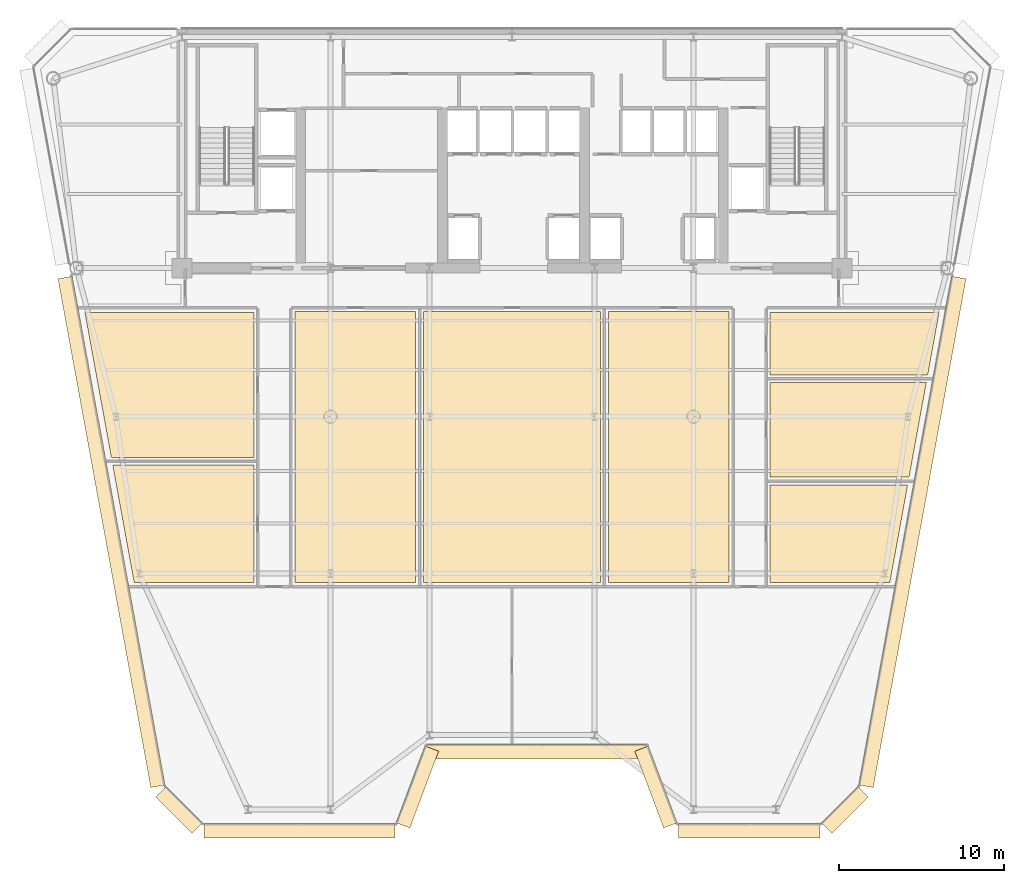
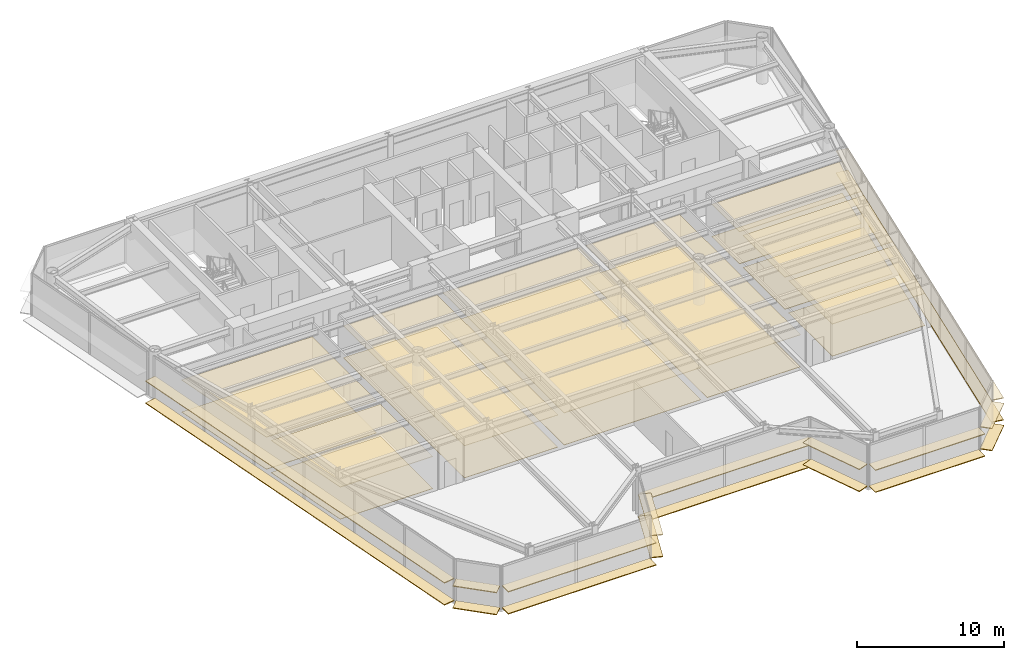
# One storey, part 14 of 17: 34 coverings.
"""IFC4 building model written with IfcOpenShell, lengths in metres."""

from ifc_helpers import new_model, si_unit, direction, frame, origin, origin_2d, place, context, subcontext, project, spatial, polyline, rectangle, outline, extrude, source, transform, mapped, material, layer, layer_set, type_object, element, save


model = new_model("IFC4")

# Units and contexts
model_context = context("Model", 3, precision=1e-05, world=origin(), true_north=direction((0.0, 1.0)))
body_context = subcontext(model_context, "Body", "Model", "MODEL_VIEW")
ifc_project = project(units=[si_unit("LENGTHUNIT", "METRE"), si_unit("AREAUNIT", "SQUARE_METRE"), si_unit("VOLUMEUNIT", "CUBIC_METRE"), si_unit("PLANEANGLEUNIT", "RADIAN"), si_unit("MASSUNIT", "GRAM", prefix="KILO")], contexts=[model_context])

# Site, building, storey
site_placement = place(None, origin())
site = spatial("IfcSite", under=ifc_project, at=site_placement, CompositionType="ELEMENT")
building_placement = place(site_placement, origin())
building = spatial("IfcBuilding", under=site, at=building_placement, Name="Vaeldorn Concourse Tower", CompositionType="ELEMENT")
storey_placement = place(building_placement, frame((0.0, 0.0, 169.0)))
storey = spatial("IfcBuildingStorey", under=building, at=storey_placement, Name="L43", CompositionType="ELEMENT", Elevation=169.0)

# Coverings
ifc_material_1 = material(Name="Acoustic Mineral Fibre Board", Category="gypsum")
ifc_layer_1 = layer(ifc_material_1, 0.0400390625)
ifc_layer_set_1 = layer_set([ifc_layer_1], Name="Acoustic Mineral Fibre Board")
covering_type_1 = type_object("IfcCoveringType", Name="COV-CEIL-ACOUSTIC", PredefinedType="CEILING", material=ifc_layer_set_1)
covering_1_placement = place(storey_placement, frame((0.0, 0.0, 2.64990234375)))
element("IfcCovering", 1, at=covering_1_placement, inside=storey, type_object=covering_type_1, Name="Suspended Acoustic Ceiling L43-5", PredefinedType="CEILING", context=body_context, shape_type="SweptSolid", body=[
    extrude(outline(polyline([(18.360107421875, 24.56005859375), (18.360107421875, 17.43994140625), (11.108642578125, 17.43994140625), (9.809814453125, 24.56005859375), (18.360107421875, 24.56005859375)])), origin(), (0.0, 0.0, 1.0), 0.0400390625),
])
covering_2_placement = place(storey_placement, frame((0.0, 0.0, 2.64990234375)))
element("IfcCovering", 2, at=covering_2_placement, inside=storey, type_object=covering_type_1, Name="Suspended Acoustic Ceiling L43-6", PredefinedType="CEILING", context=body_context, shape_type="SweptSolid", body=[
    extrude(outline(polyline([(18.360107421875, 33.800048828125), (18.360107421875, 25.0400390625), (9.722412109375, 25.0400390625), (8.12451171875, 33.800048828125), (18.360107421875, 33.800048828125)])), origin(), (0.0, 0.0, 1.0), 0.0400390625),
])
covering_3_placement = place(storey_placement, frame((0.0, 0.0, 2.64990234375)))
element("IfcCovering", 3, at=covering_3_placement, inside=storey, type_object=covering_type_1, Name="Suspended Acoustic Ceiling L43-7", PredefinedType="CEILING", context=body_context, shape_type="SweptSolid", body=[
    extrude(outline(polyline([(49.639892578125, 17.43994140625), (49.639892578125, 23.360107421875), (57.97119140625, 23.360107421875), (56.891357421875, 17.43994140625), (49.639892578125, 17.43994140625)])), origin(), (0.0, 0.0, 1.0), 0.0400390625),
])
covering_4_placement = place(storey_placement, frame((0.0, 0.0, 2.64990234375)))
element("IfcCovering", 4, at=covering_4_placement, inside=storey, type_object=covering_type_1, Name="Suspended Acoustic Ceiling L43-8", PredefinedType="CEILING", context=body_context, shape_type="SweptSolid", body=[
    extrude(outline(polyline([(49.639892578125, 23.840087890625), (49.639892578125, 29.56005859375), (59.10205078125, 29.56005859375), (58.058837890625, 23.840087890625), (49.639892578125, 23.840087890625)])), origin(), (0.0, 0.0, 1.0), 0.0400390625),
])
covering_5_placement = place(storey_placement, frame((0.0, 0.0, 2.64990234375)))
element("IfcCovering", 5, at=covering_5_placement, inside=storey, type_object=covering_type_1, Name="Suspended Acoustic Ceiling L43-9", PredefinedType="CEILING", context=body_context, shape_type="SweptSolid", body=[
    extrude(outline(polyline([(49.639892578125, 30.0400390625), (49.639892578125, 33.800048828125), (59.87548828125, 33.800048828125), (59.189697265625, 30.0400390625), (49.639892578125, 30.0400390625)])), origin(), (0.0, 0.0, 1.0), 0.0400390625),
])
covering_6_placement = place(storey_placement, frame((0.0, 0.0, 2.64990234375)))
element("IfcCovering", 6, at=covering_6_placement, inside=storey, type_object=covering_type_1, Name="Suspended Acoustic Ceiling L43-10", PredefinedType="CEILING", context=body_context, shape_type="SweptSolid", body=[
    extrude(outline(polyline([(20.840087890625, 33.860107421875), (28.159912109375, 33.860107421875), (28.159912109375, 17.43994140625), (20.840087890625, 17.43994140625), (20.840087890625, 33.860107421875)])), origin(), (0.0, 0.0, 1.0), 0.0400390625),
])
covering_7_placement = place(storey_placement, frame((0.0, 0.0, 2.64990234375)))
element("IfcCovering", 7, at=covering_7_placement, inside=storey, type_object=covering_type_1, Name="Suspended Acoustic Ceiling L43-11", PredefinedType="CEILING", context=body_context, shape_type="SweptSolid", body=[
    extrude(outline(polyline([(28.639892578125, 33.860107421875), (39.360107421875, 33.860107421875), (39.360107421875, 17.43994140625), (28.639892578125, 17.43994140625), (28.639892578125, 33.860107421875)])), origin(), (0.0, 0.0, 1.0), 0.0400390625),
])
covering_8_placement = place(storey_placement, frame((0.0, 0.0, 2.64990234375)))
element("IfcCovering", 8, at=covering_8_placement, inside=storey, type_object=covering_type_1, Name="Suspended Acoustic Ceiling L43-12", PredefinedType="CEILING", context=body_context, shape_type="SweptSolid", body=[
    extrude(outline(polyline([(39.840087890625, 33.860107421875), (47.159912109375, 33.860107421875), (47.159912109375, 17.43994140625), (39.840087890625, 17.43994140625), (39.840087890625, 33.860107421875)])), origin(), (0.0, 0.0, 1.0), 0.0400390625),
])
ifc_material_2 = material(Name="Honed Limestone Terrazzo Flooring", Category="masonry")
ifc_layer_2 = layer(ifc_material_2, 0.0400390625)
ifc_layer_set_2 = layer_set([ifc_layer_2], Name="Honed Limestone Terrazzo Flooring")
covering_type_2 = type_object("IfcCoveringType", Name="COV-FLOOR-STONE", PredefinedType="FLOORING", material=ifc_layer_set_2)
covering_9_placement = place(storey_placement, origin())
element("IfcCovering", 9, at=covering_9_placement, inside=storey, type_object=covering_type_2, Name="Floor Finish Covering L43-5", PredefinedType="FLOORING", context=body_context, shape_type="SweptSolid", body=[
    extrude(outline(polyline([(18.360107421875, 24.56005859375), (18.360107421875, 17.43994140625), (11.108642578125, 17.43994140625), (9.809814453125, 24.56005859375), (18.360107421875, 24.56005859375)])), origin(), (0.0, 0.0, 1.0), 0.030029296875),
])
covering_10_placement = place(storey_placement, origin())
element("IfcCovering", 10, at=covering_10_placement, inside=storey, type_object=covering_type_2, Name="Floor Finish Covering L43-6", PredefinedType="FLOORING", context=body_context, shape_type="SweptSolid", body=[
    extrude(outline(polyline([(18.360107421875, 33.800048828125), (18.360107421875, 25.0400390625), (9.722412109375, 25.0400390625), (8.12451171875, 33.800048828125), (18.360107421875, 33.800048828125)])), origin(), (0.0, 0.0, 1.0), 0.030029296875),
])
covering_11_placement = place(storey_placement, origin())
element("IfcCovering", 11, at=covering_11_placement, inside=storey, type_object=covering_type_2, Name="Floor Finish Covering L43-7", PredefinedType="FLOORING", context=body_context, shape_type="SweptSolid", body=[
    extrude(outline(polyline([(49.639892578125, 17.43994140625), (49.639892578125, 23.360107421875), (57.97119140625, 23.360107421875), (56.891357421875, 17.43994140625), (49.639892578125, 17.43994140625)])), origin(), (0.0, 0.0, 1.0), 0.030029296875),
])
covering_12_placement = place(storey_placement, origin())
element("IfcCovering", 12, at=covering_12_placement, inside=storey, type_object=covering_type_2, Name="Floor Finish Covering L43-8", PredefinedType="FLOORING", context=body_context, shape_type="SweptSolid", body=[
    extrude(outline(polyline([(49.639892578125, 23.840087890625), (49.639892578125, 29.56005859375), (59.10205078125, 29.56005859375), (58.058837890625, 23.840087890625), (49.639892578125, 23.840087890625)])), origin(), (0.0, 0.0, 1.0), 0.030029296875),
])
covering_13_placement = place(storey_placement, origin())
element("IfcCovering", 13, at=covering_13_placement, inside=storey, type_object=covering_type_2, Name="Floor Finish Covering L43-9", PredefinedType="FLOORING", context=body_context, shape_type="SweptSolid", body=[
    extrude(outline(polyline([(49.639892578125, 30.0400390625), (49.639892578125, 33.800048828125), (59.87548828125, 33.800048828125), (59.189697265625, 30.0400390625), (49.639892578125, 30.0400390625)])), origin(), (0.0, 0.0, 1.0), 0.030029296875),
])
covering_14_placement = place(storey_placement, origin())
element("IfcCovering", 14, at=covering_14_placement, inside=storey, type_object=covering_type_2, Name="Floor Finish Covering L43-10", PredefinedType="FLOORING", context=body_context, shape_type="SweptSolid", body=[
    extrude(outline(polyline([(20.840087890625, 33.860107421875), (28.159912109375, 33.860107421875), (28.159912109375, 17.43994140625), (20.840087890625, 17.43994140625), (20.840087890625, 33.860107421875)])), origin(), (0.0, 0.0, 1.0), 0.030029296875),
])
covering_15_placement = place(storey_placement, origin())
element("IfcCovering", 15, at=covering_15_placement, inside=storey, type_object=covering_type_2, Name="Floor Finish Covering L43-11", PredefinedType="FLOORING", context=body_context, shape_type="SweptSolid", body=[
    extrude(outline(polyline([(28.639892578125, 33.860107421875), (39.360107421875, 33.860107421875), (39.360107421875, 17.43994140625), (28.639892578125, 17.43994140625), (28.639892578125, 33.860107421875)])), origin(), (0.0, 0.0, 1.0), 0.030029296875),
])
covering_16_placement = place(storey_placement, origin())
element("IfcCovering", 16, at=covering_16_placement, inside=storey, type_object=covering_type_2, Name="Floor Finish Covering L43-12", PredefinedType="FLOORING", context=body_context, shape_type="SweptSolid", body=[
    extrude(outline(polyline([(39.840087890625, 33.860107421875), (47.159912109375, 33.860107421875), (47.159912109375, 17.43994140625), (39.840087890625, 17.43994140625), (39.840087890625, 33.860107421875)])), origin(), (0.0, 0.0, 1.0), 0.030029296875),
])
ifc_material_3 = material(Name="Anodised Bronze Aluminium", Category="aluminium")
ifc_layer_3 = layer(ifc_material_3, 0.06494140625)
ifc_layer_set_3 = layer_set([ifc_layer_3], Name="Anodised Bronze Aluminium")
covering_type_3 = type_object("IfcCoveringType", Name="SD-BRONZE-SUNSHADE", PredefinedType="USERDEFINED", material=ifc_layer_set_3)
shared_shape_1 = source(origin(), body_context, "Body", "SweptSolid", [
    extrude(rectangle(XDim=4.96630859375, YDim=0.8798828125, at=origin_2d()), origin(), (0.0, 0.0, 1.0), 0.06494140625),
])
for number, where, z_axis, x_axis, name in (
    (17, (28.2744140625, 5.0595703125, 0.047607421875), (0.0, 0.0, 1.0), (0.351122702609, 0.936329454686, 0.0), "Horizontal Bronze Sunshade L43-E02.1.1"),
    (18, (28.2744140625, 5.0595703125, 1.867431640625), (0.0, 0.0, 1.0), (0.351122702609, 0.936329454686, 0.0), "Horizontal Bronze Sunshade L43-E02.1.2"),
    (19, (42.7255859375, 5.0595703125, 0.047607421875), (0.0, 0.0, 1.0), (0.351122702609, -0.936329454686, 0.0), "Horizontal Bronze Sunshade L43-E04.1.1"),
    (20, (42.7255859375, 5.0595703125, 1.867431640625), (0.0, 0.0, 1.0), (0.351122702609, -0.936329454686, 0.0), "Horizontal Bronze Sunshade L43-E04.1.2"),
):
    element("IfcCovering", number, at=place(storey_placement, frame(where, z_axis=z_axis, x_axis=x_axis)), inside=storey, type_object=covering_type_3, Name=name, ObjectType="SUNSHADE", PredefinedType="USERDEFINED", context=body_context, shape_type="MappedRepresentation", body=[
        mapped(shared_shape_1, transform((0.0, 0.0, 0.0), scale=1.0)),
    ])
shared_shape_2 = source(origin(), body_context, "Body", "SweptSolid", [
    extrude(rectangle(XDim=13.239990234375, YDim=0.8798828125, at=origin_2d()), origin(), (0.0, 0.0, 1.0), 0.06494140625),
])
for number, where, z_axis, x_axis, name in (
    (21, (35.5, 7.199951171875, 0.047607421875), (0.0, 0.0, 1.0), (1.0, 0.0, 0.0), "Horizontal Bronze Sunshade L43-E03.1.1"),
    (22, (35.5, 7.199951171875, 1.867431640625), (0.0, 0.0, 1.0), (1.0, 0.0, 0.0), "Horizontal Bronze Sunshade L43-E03.1.2"),
):
    element("IfcCovering", number, at=place(storey_placement, frame(where, z_axis=z_axis, x_axis=x_axis)), inside=storey, type_object=covering_type_3, Name=name, ObjectType="SUNSHADE", PredefinedType="USERDEFINED", context=body_context, shape_type="MappedRepresentation", body=[
        mapped(shared_shape_2, transform((0.0, 0.0, 0.0), scale=1.0)),
    ])
shared_shape_3 = source(origin(), body_context, "Body", "SweptSolid", [
    extrude(rectangle(XDim=3.0927734375, YDim=0.8798828125, at=origin_2d()), origin(), (0.0, 0.0, 1.0), 0.06494140625),
])
for number, where, z_axis, x_axis, name in (
    (23, (54.1796875, 3.667236328125, 0.047607421875), (0.0, 0.0, 1.0), (0.707106781187, 0.707106781187, 0.0), "Horizontal Bronze Sunshade L43-E06.1.1"),
    (24, (54.1796875, 3.667236328125, 1.867431640625), (0.0, 0.0, 1.0), (0.707106781187, 0.707106781187, 0.0), "Horizontal Bronze Sunshade L43-E06.1.2"),
    (25, (13.8203125, 3.667236328125, 0.047607421875), (0.0, 0.0, 1.0), (0.707106781187, -0.707106781187, 0.0), "Horizontal Bronze Sunshade L43-E12.1.1"),
    (26, (13.8203125, 3.667236328125, 1.867431640625), (0.0, 0.0, 1.0), (0.707106781187, -0.707106781187, 0.0), "Horizontal Bronze Sunshade L43-E12.1.2"),
):
    element("IfcCovering", number, at=place(storey_placement, frame(where, z_axis=z_axis, x_axis=x_axis)), inside=storey, type_object=covering_type_3, Name=name, ObjectType="SUNSHADE", PredefinedType="USERDEFINED", context=body_context, shape_type="MappedRepresentation", body=[
        mapped(shared_shape_3, transform((0.0, 0.0, 0.0), scale=1.0)),
    ])
shared_shape_4 = source(origin(), body_context, "Body", "SweptSolid", [
    extrude(rectangle(XDim=11.5869140625, YDim=0.8798828125, at=origin_2d()), origin(), (0.0, 0.0, 1.0), 0.06494140625),
])
for number, where, z_axis, x_axis, name in (
    (27, (21.12646484375, 2.39990234375, 0.047607421875), (0.0, 0.0, 1.0), (1.0, 0.0, 0.0), "Horizontal Bronze Sunshade L43-E01.1.1"),
    (28, (21.12646484375, 2.39990234375, 1.867431640625), (0.0, 0.0, 1.0), (1.0, 0.0, 0.0), "Horizontal Bronze Sunshade L43-E01.1.2"),
):
    element("IfcCovering", number, at=place(storey_placement, frame(where, z_axis=z_axis, x_axis=x_axis)), inside=storey, type_object=covering_type_3, Name=name, ObjectType="SUNSHADE", PredefinedType="USERDEFINED", context=body_context, shape_type="MappedRepresentation", body=[
        mapped(shared_shape_4, transform((0.0, 0.0, 0.0), scale=1.0)),
    ])
shared_shape_5 = source(origin(), body_context, "Body", "SweptSolid", [
    extrude(rectangle(XDim=8.5869140625, YDim=0.8798828125, at=origin_2d()), origin(), (0.0, 0.0, 1.0), 0.06494140625),
])
for number, where, z_axis, x_axis, name in (
    (29, (48.37353515625, 2.39990234375, 0.047607421875), (0.0, 0.0, 1.0), (1.0, 0.0, 0.0), "Horizontal Bronze Sunshade L43-E05.1.1"),
    (30, (48.37353515625, 2.39990234375, 1.867431640625), (0.0, 0.0, 1.0), (1.0, 0.0, 0.0), "Horizontal Bronze Sunshade L43-E05.1.2"),
):
    element("IfcCovering", number, at=place(storey_placement, frame(where, z_axis=z_axis, x_axis=x_axis)), inside=storey, type_object=covering_type_3, Name=name, ObjectType="SUNSHADE", PredefinedType="USERDEFINED", context=body_context, shape_type="MappedRepresentation", body=[
        mapped(shared_shape_5, transform((0.0, 0.0, 0.0), scale=1.0)),
    ])
shared_shape_6 = source(origin(), body_context, "Body", "SweptSolid", [
    extrude(rectangle(XDim=31.334716796875, YDim=0.8798828125, at=origin_2d()), origin(), (0.0, 0.0, 1.0), 0.06494140625),
])
for number, where, z_axis, x_axis, name in (
    (31, (58.266357421875, 20.52001953125, 0.047607421875), (0.0, 0.0, 1.0), (0.179437543025, 0.983769367359, 0.0), "Horizontal Bronze Sunshade L43-E07.1.1"),
    (32, (58.266357421875, 20.52001953125, 1.867431640625), (0.0, 0.0, 1.0), (0.179437543025, 0.983769367359, 0.0), "Horizontal Bronze Sunshade L43-E07.1.2"),
    (33, (9.733642578125, 20.52001953125, 0.047607421875), (0.0, 0.0, 1.0), (0.179437543025, -0.983769367359, 0.0), "Horizontal Bronze Sunshade L43-E11.2.1"),
    (34, (9.733642578125, 20.52001953125, 1.867431640625), (0.0, 0.0, 1.0), (0.179437543025, -0.983769367359, 0.0), "Horizontal Bronze Sunshade L43-E11.2.2"),
):
    element("IfcCovering", number, at=place(storey_placement, frame(where, z_axis=z_axis, x_axis=x_axis)), inside=storey, type_object=covering_type_3, Name=name, ObjectType="SUNSHADE", PredefinedType="USERDEFINED", context=body_context, shape_type="MappedRepresentation", body=[
        mapped(shared_shape_6, transform((0.0, 0.0, 0.0), scale=1.0)),
    ])

save(model, "model.ifc")
